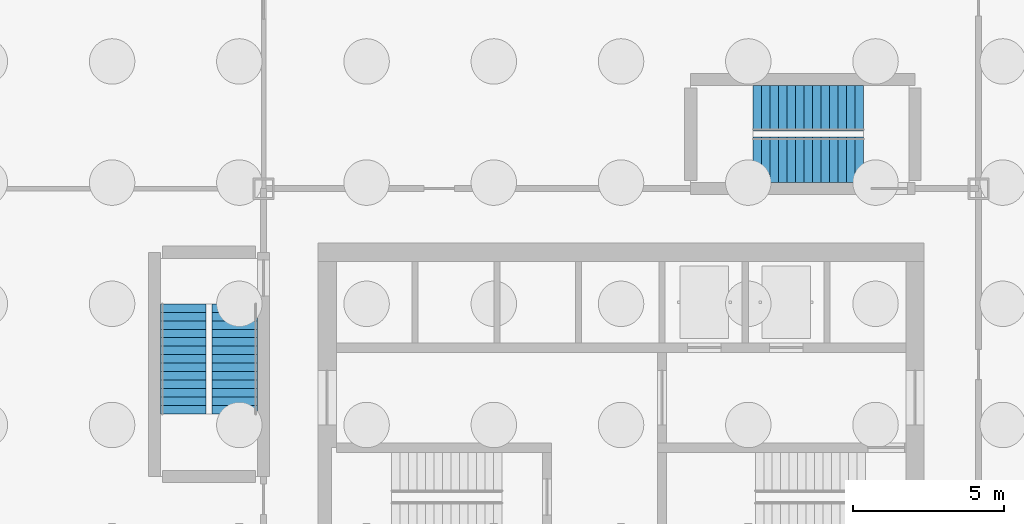
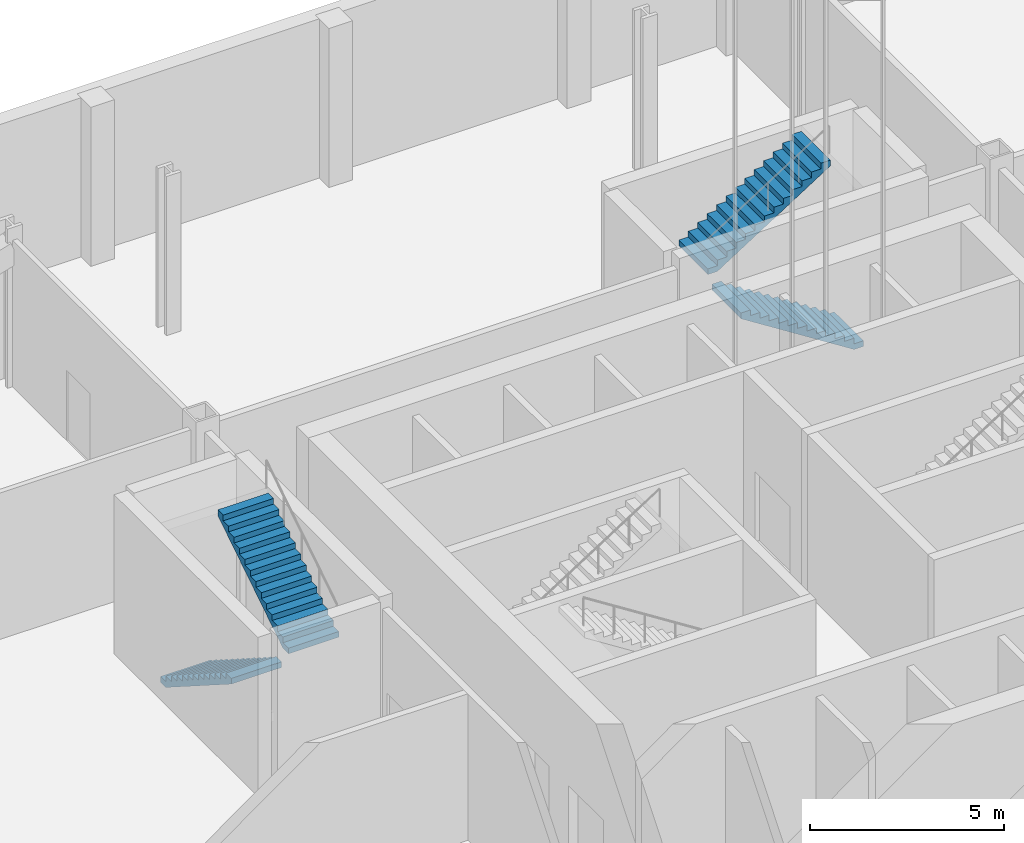
# One storey, part 5 of 8: 4 stair flights, 2 elements without a shape of their own.
"""IFC4 building model written with IfcOpenShell, lengths in metres."""

import ifcopenshell
import ifcopenshell.guid

model = None  # the IFC model being written
_history = None  # IfcOwnerHistory: only IFC2X3 demands one
_inside = {}  # id of a spatial element -> (the spatial element, [elements in it])
_under = {}  # id of a project, library or spatial element -> (it, [spatial elements below it])
_declared = {}  # id of a project -> (the project, [libraries it declares])
_typed = {}  # id of a type object -> (the type object, [elements of that type])
_made_of = {}  # id of a material, layer set ... -> (it, [elements and type objects made of it])


def new_model(schema):
    """Start an empty IFC model of exactly this schema.

    Asked for "IFC4X3", IfcOpenShell would pick the latest addendum, in which some entities
    have other attributes; the version numbers below select the first issue.
    IFC2X3 requires an IfcOwnerHistory on every rooted entity: one is made here for all.
    """
    global model, _history
    if schema == "IFC4X3":
        model = ifcopenshell.file(schema_version=(4, 3, 0, 0))
    else:
        model = ifcopenshell.file(schema=schema)
    _inside.clear()
    _under.clear()
    _declared.clear()
    _typed.clear()
    _made_of.clear()
    _history = None
    if model.schema == "IFC2X3":
        org = make("IfcOrganization", Name="unknown")
        user = make(
            "IfcPersonAndOrganization",
            ThePerson=make("IfcPerson", FamilyName="unknown"),
            TheOrganization=org,
        )
        app = make(
            "IfcApplication",
            ApplicationDeveloper=org,
            Version="unknown",
            ApplicationFullName="unknown",
            ApplicationIdentifier="unknown",
        )
        _history = make(
            "IfcOwnerHistory",
            OwningUser=user,
            OwningApplication=app,
            ChangeAction="ADDED",
            CreationDate=0,
        )
    return model


def make(cls, **values):
    """One entity of the class cls with the attributes given. An attribute that is None is left unset."""
    return model.create_entity(
        cls, **{name: value for name, value in values.items() if value is not None}
    )


def rooted(cls, **values):
    """An entity with a GlobalId (a new one), such as an element, a storey or a relation."""
    return make(cls, GlobalId=ifcopenshell.guid.new(), OwnerHistory=_history, **values)


def si_unit(unit_type, name, prefix=None):
    """IfcSIUnit, for example si_unit("LENGTHUNIT", "METRE", prefix="MILLI")."""
    return make("IfcSIUnit", UnitType=unit_type, Prefix=prefix, Name=name)


def assignment(units):
    """IfcUnitAssignment: the units of a project."""
    return None if units is None else make("IfcUnitAssignment", Units=units)


def point(xyz):
    """IfcCartesianPoint."""
    return None if xyz is None else make("IfcCartesianPoint", Coordinates=xyz)


def direction(xyz):
    """IfcDirection."""
    return None if xyz is None else make("IfcDirection", DirectionRatios=xyz)


def frame(location, z_axis=None, x_axis=None):
    """IfcAxis2Placement3D, a coordinate frame: its origin and axes. An axis left out is left unset."""
    return make(
        "IfcAxis2Placement3D",
        Location=point(location),
        Axis=direction(z_axis),
        RefDirection=direction(x_axis),
    )


def origin():
    """The frame at (0, 0, 0) with its axes left unset."""
    return frame((0.0, 0.0, 0.0))


def place(relative_to, where):
    """IfcLocalPlacement: puts the frame where relative to a parent placement (None: the world)."""
    return make(
        "IfcLocalPlacement", PlacementRelTo=relative_to, RelativePlacement=where
    )


def context(
    kind, dimensions, precision=None, world=None, true_north=None, identifier=None
):
    """IfcGeometricRepresentationContext, for example the 3D "Model" context."""
    return make(
        "IfcGeometricRepresentationContext",
        ContextIdentifier=identifier,
        ContextType=kind,
        CoordinateSpaceDimension=dimensions,
        Precision=precision,
        WorldCoordinateSystem=world,
        TrueNorth=true_north,
    )


def subcontext(parent, identifier, kind, view, scale=None):
    """IfcGeometricRepresentationSubContext, for example "Body" below "Model"."""
    return make(
        "IfcGeometricRepresentationSubContext",
        ContextIdentifier=identifier,
        ContextType=kind,
        ParentContext=parent,
        TargetScale=scale,
        TargetView=view,
    )


def project(units=None, contexts=None):
    """IfcProject with its units and contexts."""
    return rooted(
        "IfcProject",
        Name="project",
        RepresentationContexts=contexts,
        UnitsInContext=assignment(units),
    )


def spatial(cls, under=None, at=None, **own):
    """A site, building, storey or space (cls), placed at a placement, below another one or the project."""
    s = rooted(cls, ObjectPlacement=at, **own)
    if under is not None:
        _under.setdefault(under.id(), (under, []))[1].append(s)
    return s


def polyline(points):
    """IfcPolyline through the points."""
    return make("IfcPolyline", Points=[point(p) for p in points])


def outline(outer, holes=None, kind="AREA"):
    """IfcArbitraryClosedProfileDef: a profile drawn as a closed curve; with holes, ...WithVoids."""
    if holes is None:
        return make("IfcArbitraryClosedProfileDef", ProfileType=kind, OuterCurve=outer)
    return make(
        "IfcArbitraryProfileDefWithVoids",
        ProfileType=kind,
        OuterCurve=outer,
        InnerCurves=holes,
    )


def extrude(swept, where, along, depth):
    """IfcExtrudedAreaSolid: the profile swept, set in the frame where, extruded along a direction by depth."""
    return make(
        "IfcExtrudedAreaSolid",
        SweptArea=swept,
        Position=where,
        ExtrudedDirection=direction(along),
        Depth=depth,
    )


def shape(context_of_items, identifier, shape_type, items):
    """IfcShapeRepresentation: the items that make up one representation, for example the "Body"."""
    return make(
        "IfcShapeRepresentation",
        ContextOfItems=context_of_items,
        RepresentationIdentifier=identifier,
        RepresentationType=shape_type,
        Items=items,
    )


def material(Name=None, Category=None):
    """IfcMaterial."""
    return make("IfcMaterial", Name=Name, Category=Category)


def made_of(thing, what):
    """Note that an element or type object is made of a material, layer set ...; save() writes the relation."""
    if what is not None:
        _made_of.setdefault(what.id(), (what, []))[1].append(thing)
    return thing


def type_object(cls, material=None, **own):
    """A type object (cls), such as IfcWallType, which elements share."""
    return made_of(rooted(cls, **own), material)


def element(
    cls,
    number,
    at=None,
    inside=None,
    cuts=None,
    type_object=None,
    material=None,
    context=None,
    identifier="Body",
    shape_type=None,
    held_by="IfcProductDefinitionShape",
    body=None,
    shapes=None,
    **own,
):
    """One element of the class cls, such as IfcWall. Its Tag is "e" and its number.

    at: its placement. inside: the storey or other place that contains it. cuts: it is an
    opening in that element (IfcRelVoidsElement). A single representation is given by context,
    identifier, shape_type and body (its items); several are given by shapes. held_by: the class
    of the entity that holds the representations. save() writes the other relations.
    """
    e = rooted(cls, Tag="e%d" % number, ObjectPlacement=at, **own)
    if body is not None:
        shapes = [shape(context, identifier, shape_type, body)]
    if shapes is not None:
        e.Representation = make(held_by, Representations=shapes)
    if inside is not None:
        _inside.setdefault(inside.id(), (inside, []))[1].append(e)
    if cuts is not None:
        rooted(
            "IfcRelVoidsElement", RelatingBuildingElement=cuts, RelatedOpeningElement=e
        )
    if type_object is not None:
        _typed.setdefault(type_object.id(), (type_object, []))[1].append(e)
    return made_of(e, material)


def aggregate(whole, parts):
    """IfcRelAggregates: a whole, such as a stair, and the parts it consists of."""
    return rooted("IfcRelAggregates", RelatingObject=whole, RelatedObjects=parts)


def save(model, path):
    """Write the relations noted so far, then the file.

    IfcRelAggregates (storeys below a building ...), IfcRelContainedInSpatialStructure (elements
    in a storey), IfcRelDefinesByType, IfcRelAssociatesMaterial and IfcRelDeclares: one each for
    every whole, place, type object, material and project.
    """
    for whole, parts in _under.values():
        aggregate(whole, parts)
    for where, things in _inside.values():
        rooted(
            "IfcRelContainedInSpatialStructure",
            RelatedElements=things,
            RelatingStructure=where,
        )
    for kind, things in _typed.values():
        rooted("IfcRelDefinesByType", RelatedObjects=things, RelatingType=kind)
    for what, things in _made_of.values():
        rooted("IfcRelAssociatesMaterial", RelatedObjects=things, RelatingMaterial=what)
    for by, libraries in _declared.values():
        rooted("IfcRelDeclares", RelatingContext=by, RelatedDefinitions=libraries)
    model.write(path)


model = new_model("IFC4")

# Units and contexts
model_context = context("Model", 3, precision=1e-05, world=origin(), true_north=direction((0.0, 1.0)))
body_context = subcontext(model_context, "Body", "Model", "MODEL_VIEW")
ifc_project = project(units=[si_unit("LENGTHUNIT", "METRE"), si_unit("AREAUNIT", "SQUARE_METRE"), si_unit("VOLUMEUNIT", "CUBIC_METRE"), si_unit("PLANEANGLEUNIT", "RADIAN"), si_unit("MASSUNIT", "GRAM", prefix="KILO")], contexts=[model_context])

# Site, building, storey
site_placement = place(None, origin())
site = spatial("IfcSite", under=ifc_project, at=site_placement, CompositionType="ELEMENT")
building_placement = place(site_placement, origin())
building = spatial("IfcBuilding", under=site, at=building_placement, Name="Turquesa Mirador Hotel Tower", CompositionType="ELEMENT")
storey_placement = place(building_placement, frame((0.0, 0.0, -5.0)))
storey = spatial("IfcBuildingStorey", under=building, at=storey_placement, Name="B1", CompositionType="ELEMENT", Elevation=-5.0)

# Stair, stair flights
ifc_material_1 = material(Name="Concrete C35/45", Category="concrete")
stair_type = type_object("IfcStairType", Name="ESCAPE STAIR PODIUM", PredefinedType="HALF_TURN_STAIR", material=ifc_material_1)
stair_1_placement = place(storey_placement, origin())
stair_1 = element("IfcStair", 1, at=stair_1_placement, inside=storey, type_object=stair_type, Name="Stair PS1 B1 to L00", PredefinedType="HALF_TURN_STAIR")
ifc_material_2 = material(Name="Concrete C35/45 precast flight", Category="concrete")
stair_flight_type = type_object("IfcStairFlightType", Name="STAIR FLIGHT 1500", PredefinedType="STRAIGHT", material=ifc_material_2)
stair_flight_1_placement = place(storey_placement, frame((63.0, 57.75, 0.0), z_axis=(0.0, 0.0, 1.0), x_axis=(-1.0, 0.0, 0.0)))
stair_flight_1 = element("IfcStairFlight", 2, at=stair_flight_1_placement, type_object=stair_flight_type, Name="PS1 flight 1", NumberOfRisers=14, NumberOfTreads=13, PredefinedType="STRAIGHT", RiserHeight=0.178571429, TreadLength=0.28, context=body_context, shape_type="SweptSolid", body=[
    extrude(outline(polyline([(0.0, 0.0), (0.0, 0.178466796875), (0.280029296875, 0.178466796875), (0.280029296875, 0.357177734375), (0.56005859375, 0.357177734375), (0.56005859375, 0.53564453125), (0.840087890625, 0.53564453125), (0.840087890625, 0.71435546875), (1.1201171875, 0.71435546875), (1.1201171875, 0.892822265625), (1.39990234375, 0.892822265625), (1.39990234375, 1.071533203125), (1.679931640625, 1.071533203125), (1.679931640625, 1.25), (1.9599609375, 1.25), (1.9599609375, 1.428466796875), (2.239990234375, 1.428466796875), (2.239990234375, 1.607177734375), (2.52001953125, 1.607177734375), (2.52001953125, 1.78564453125), (2.800048828125, 1.78564453125), (2.800048828125, 1.96435546875), (3.080078125, 1.96435546875), (3.080078125, 2.142822265625), (3.360107421875, 2.142822265625), (3.360107421875, 2.321533203125), (3.639892578125, 2.321533203125), (3.639892578125, 2.5), (3.639892578125, 2.1435546875), (0.27880859375, 0.0), (0.0, 0.0)])), frame((0.0, 0.75, 0.0), z_axis=(0.0, -1.0, 0.0), x_axis=(1.0, 0.0, 0.0)), (0.0, 0.0, 1.0), 1.5),
])
stair_flight_2_placement = place(storey_placement, frame((59.360107421875, 59.449951171875, 2.5), z_axis=(0.0, 0.0, 1.0), x_axis=(1.0, 0.0, 0.0)))
stair_flight_2 = element("IfcStairFlight", 3, at=stair_flight_2_placement, type_object=stair_flight_type, Name="PS1 flight 2", NumberOfRisers=14, NumberOfTreads=13, PredefinedType="STRAIGHT", RiserHeight=0.178571429, TreadLength=0.28, context=body_context, shape_type="SweptSolid", body=[
    extrude(outline(polyline([(0.0, 0.0), (0.0, 0.178466796875), (0.280029296875, 0.178466796875), (0.280029296875, 0.357177734375), (0.56005859375, 0.357177734375), (0.56005859375, 0.53564453125), (0.840087890625, 0.53564453125), (0.840087890625, 0.71435546875), (1.1201171875, 0.71435546875), (1.1201171875, 0.892822265625), (1.39990234375, 0.892822265625), (1.39990234375, 1.071533203125), (1.679931640625, 1.071533203125), (1.679931640625, 1.25), (1.9599609375, 1.25), (1.9599609375, 1.428466796875), (2.239990234375, 1.428466796875), (2.239990234375, 1.607177734375), (2.52001953125, 1.607177734375), (2.52001953125, 1.78564453125), (2.800048828125, 1.78564453125), (2.800048828125, 1.96435546875), (3.080078125, 1.96435546875), (3.080078125, 2.142822265625), (3.360107421875, 2.142822265625), (3.360107421875, 2.321533203125), (3.639892578125, 2.321533203125), (3.639892578125, 2.5), (3.639892578125, 2.1435546875), (0.27880859375, 0.0), (0.0, 0.0)])), frame((0.0, 0.75, 0.0), z_axis=(0.0, -1.0, 0.0), x_axis=(1.0, 0.0, 0.0)), (0.0, 0.0, 1.0), 1.5),
])
aggregate(stair_1, [stair_flight_1, stair_flight_2])

stair_2_placement = place(storey_placement, origin())
stair_2 = element("IfcStair", 4, at=stair_2_placement, inside=storey, type_object=stair_type, Name="Stair PS4 B1 to L00", PredefinedType="HALF_TURN_STAIR")
stair_flight_3_placement = place(storey_placement, frame((40.550048828125, 53.0, 0.0), z_axis=(0.0, 0.0, 1.0), x_axis=(0.0, -1.0, 0.0)))
stair_flight_3 = element("IfcStairFlight", 5, at=stair_flight_3_placement, type_object=stair_flight_type, Name="PS4 flight 1", NumberOfRisers=14, NumberOfTreads=13, PredefinedType="STRAIGHT", RiserHeight=0.178571429, TreadLength=0.28, context=body_context, shape_type="SweptSolid", body=[
    extrude(outline(polyline([(0.0, 0.0), (0.0, 0.178466796875), (0.280029296875, 0.178466796875), (0.280029296875, 0.357177734375), (0.56005859375, 0.357177734375), (0.56005859375, 0.53564453125), (0.840087890625, 0.53564453125), (0.840087890625, 0.71435546875), (1.1201171875, 0.71435546875), (1.1201171875, 0.892822265625), (1.39990234375, 0.892822265625), (1.39990234375, 1.071533203125), (1.679931640625, 1.071533203125), (1.679931640625, 1.25), (1.9599609375, 1.25), (1.9599609375, 1.428466796875), (2.239990234375, 1.428466796875), (2.239990234375, 1.607177734375), (2.52001953125, 1.607177734375), (2.52001953125, 1.78564453125), (2.800048828125, 1.78564453125), (2.800048828125, 1.96435546875), (3.080078125, 1.96435546875), (3.080078125, 2.142822265625), (3.360107421875, 2.142822265625), (3.360107421875, 2.321533203125), (3.639892578125, 2.321533203125), (3.639892578125, 2.5), (3.639892578125, 2.1435546875), (0.27880859375, 0.0), (0.0, 0.0)])), frame((0.0, 0.75, 0.0), z_axis=(0.0, -1.0, 0.0), x_axis=(1.0, 0.0, 0.0)), (0.0, 0.0, 1.0), 1.5),
])
stair_flight_4_placement = place(storey_placement, frame((42.25, 49.360107421875, 2.5), z_axis=(0.0, 0.0, 1.0), x_axis=(0.0, 1.0, 0.0)))
stair_flight_4 = element("IfcStairFlight", 6, at=stair_flight_4_placement, type_object=stair_flight_type, Name="PS4 flight 2", NumberOfRisers=14, NumberOfTreads=13, PredefinedType="STRAIGHT", RiserHeight=0.178571429, TreadLength=0.28, context=body_context, shape_type="SweptSolid", body=[
    extrude(outline(polyline([(0.0, 0.0), (0.0, 0.178466796875), (0.280029296875, 0.178466796875), (0.280029296875, 0.357177734375), (0.56005859375, 0.357177734375), (0.56005859375, 0.53564453125), (0.840087890625, 0.53564453125), (0.840087890625, 0.71435546875), (1.1201171875, 0.71435546875), (1.1201171875, 0.892822265625), (1.39990234375, 0.892822265625), (1.39990234375, 1.071533203125), (1.679931640625, 1.071533203125), (1.679931640625, 1.25), (1.9599609375, 1.25), (1.9599609375, 1.428466796875), (2.239990234375, 1.428466796875), (2.239990234375, 1.607177734375), (2.52001953125, 1.607177734375), (2.52001953125, 1.78564453125), (2.800048828125, 1.78564453125), (2.800048828125, 1.96435546875), (3.080078125, 1.96435546875), (3.080078125, 2.142822265625), (3.360107421875, 2.142822265625), (3.360107421875, 2.321533203125), (3.639892578125, 2.321533203125), (3.639892578125, 2.5), (3.639892578125, 2.1435546875), (0.27880859375, 0.0), (0.0, 0.0)])), frame((0.0, 0.75, 0.0), z_axis=(0.0, -1.0, 0.0), x_axis=(1.0, 0.0, 0.0)), (0.0, 0.0, 1.0), 1.5),
])
aggregate(stair_2, [stair_flight_3, stair_flight_4])

save(model, "model.ifc")
